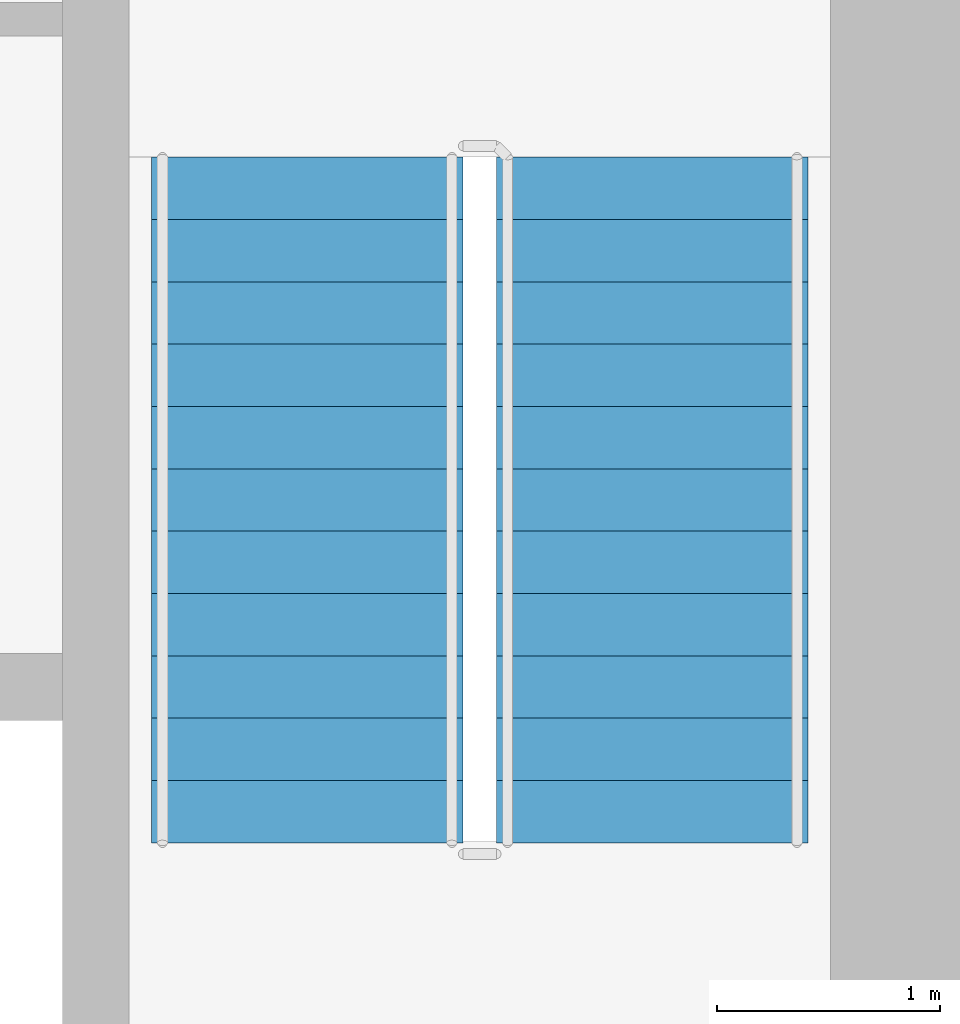
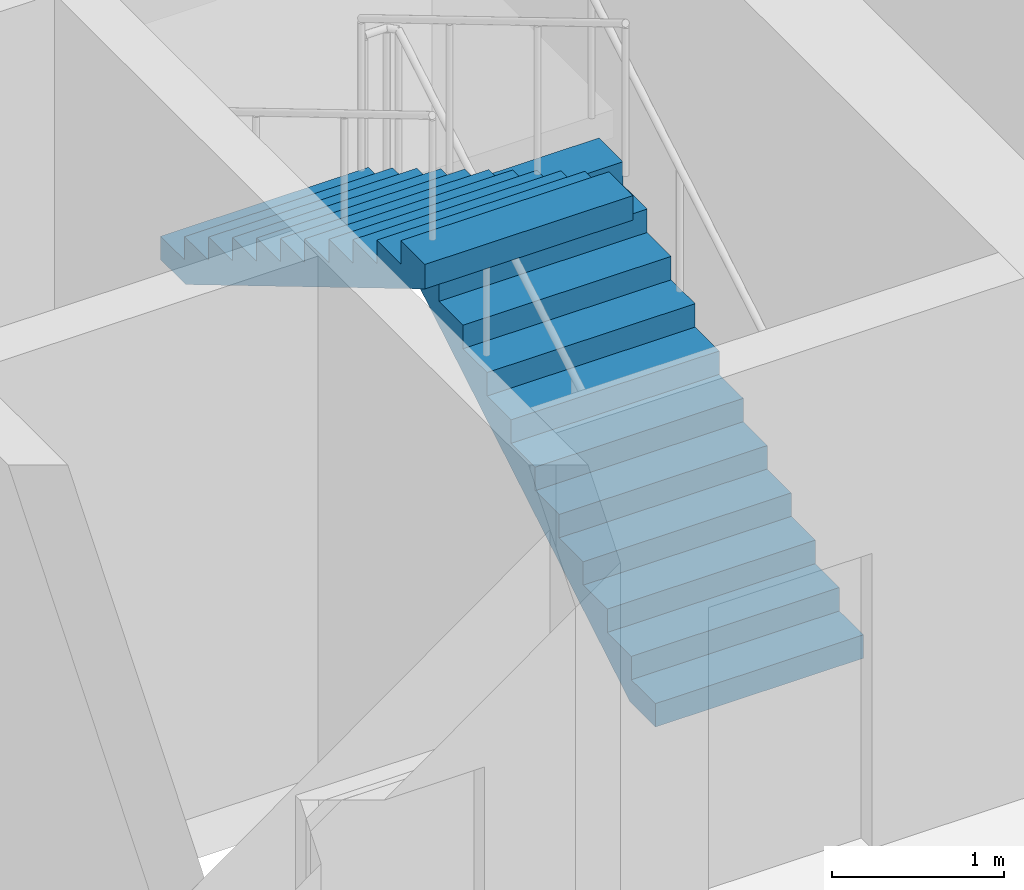
# One storey, part 10 of 16: 2 stair flights, 1 element without a shape of its own.
"""IFC4 building model written with IfcOpenShell, lengths in metres."""

from ifc_helpers import new_model, si_unit, direction, frame, origin, place, context, subcontext, project, spatial, polyline, outline, extrude, material, type_object, element, aggregate, save


model = new_model("IFC4")

# Units and contexts
model_context = context("Model", 3, precision=1e-05, world=origin(), true_north=direction((0.0, 1.0)))
body_context = subcontext(model_context, "Body", "Model", "MODEL_VIEW")
ifc_project = project(units=[si_unit("LENGTHUNIT", "METRE"), si_unit("AREAUNIT", "SQUARE_METRE"), si_unit("VOLUMEUNIT", "CUBIC_METRE"), si_unit("PLANEANGLEUNIT", "RADIAN"), si_unit("MASSUNIT", "GRAM", prefix="KILO")], contexts=[model_context])

# Site, building, storey
site_placement = place(None, origin())
site = spatial("IfcSite", under=ifc_project, at=site_placement, CompositionType="ELEMENT")
building_placement = place(site_placement, origin())
building = spatial("IfcBuilding", under=site, at=building_placement, Name="Mopane Tessera Tower", CompositionType="ELEMENT")
storey_placement = place(building_placement, frame((0.0, 0.0, 321.39990234375)))
storey = spatial("IfcBuildingStorey", under=building, at=storey_placement, Name="L70", CompositionType="ELEMENT", Elevation=321.39990234375)

# Stair, stair flights
ifc_material_1 = material(Name="Concrete C50/60", Category="concrete")
stair_type = type_object("IfcStairType", Name="Escape stair 1400 mm, riser 167 mm", PredefinedType="HALF_TURN_STAIR", material=ifc_material_1)
stair_placement = place(storey_placement, origin())
stair = element("IfcStair", 1, at=stair_placement, inside=storey, type_object=stair_type, Name="L70 Escape stair north-east", PredefinedType="HALF_TURN_STAIR")
ifc_material_2 = material(Name="Concrete C50/60", Category="concrete")
stair_flight_type = type_object("IfcStairFlightType", Name="Escape stair flight 1400 mm", PredefinedType="STRAIGHT", material=ifc_material_2)
stair_flight_1_placement = place(storey_placement, frame((13.0, 7.699951171875, 0.0), z_axis=(0.0, 0.0, 1.0), x_axis=(0.0, 1.0, 0.0)))
stair_flight_1 = element("IfcStairFlight", 2, at=stair_flight_1_placement, type_object=stair_flight_type, Name="ST4 flight 1", NumberOfRisers=12, NumberOfTreads=11, PredefinedType="STRAIGHT", RiserHeight=0.166666667, TreadLength=0.28, context=body_context, shape_type="SweptSolid", body=[
    extrude(outline(polyline([(0.0, 0.0), (0.0, 0.166748046875), (0.280029296875, 0.166748046875), (0.280029296875, 0.333251953125), (0.56005859375, 0.333251953125), (0.56005859375, 0.5), (0.840087890625, 0.5), (0.840087890625, 0.666748046875), (1.1201171875, 0.666748046875), (1.1201171875, 0.833251953125), (1.39990234375, 0.833251953125), (1.39990234375, 1.0), (1.679931640625, 1.0), (1.679931640625, 1.166748046875), (1.9599609375, 1.166748046875), (1.9599609375, 1.333251953125), (2.239990234375, 1.333251953125), (2.239990234375, 1.5), (2.52001953125, 1.5), (2.52001953125, 1.666748046875), (2.800048828125, 1.666748046875), (2.800048828125, 1.833251953125), (3.080078125, 1.833251953125), (3.080078125, 2.0), (3.080078125, 1.658935546875), (0.29296875, 0.0), (0.0, 0.0)])), frame((0.0, 0.699951171875, 0.0), z_axis=(0.0, -1.0, 0.0), x_axis=(1.0, 0.0, 0.0)), (0.0, 0.0, 1.0), 1.39990234375),
])
stair_flight_2_placement = place(storey_placement, frame((11.449951171875, 10.780029296875, 2.0), z_axis=(0.0, 0.0, 1.0), x_axis=(0.0, -1.0, 0.0)))
stair_flight_2 = element("IfcStairFlight", 3, at=stair_flight_2_placement, type_object=stair_flight_type, Name="ST4 flight 2", NumberOfRisers=12, NumberOfTreads=11, PredefinedType="STRAIGHT", RiserHeight=0.166666667, TreadLength=0.28, context=body_context, shape_type="SweptSolid", body=[
    extrude(outline(polyline([(0.0, 0.0), (0.0, 0.166748046875), (0.280029296875, 0.166748046875), (0.280029296875, 0.333251953125), (0.56005859375, 0.333251953125), (0.56005859375, 0.5), (0.840087890625, 0.5), (0.840087890625, 0.666748046875), (1.1201171875, 0.666748046875), (1.1201171875, 0.833251953125), (1.39990234375, 0.833251953125), (1.39990234375, 1.0), (1.679931640625, 1.0), (1.679931640625, 1.166748046875), (1.9599609375, 1.166748046875), (1.9599609375, 1.333251953125), (2.239990234375, 1.333251953125), (2.239990234375, 1.5), (2.52001953125, 1.5), (2.52001953125, 1.666748046875), (2.800048828125, 1.666748046875), (2.800048828125, 1.833251953125), (3.080078125, 1.833251953125), (3.080078125, 2.0), (3.080078125, 1.658935546875), (0.29296875, 0.0), (0.0, 0.0)])), frame((0.0, 0.699951171875, 0.0), z_axis=(0.0, -1.0, 0.0), x_axis=(1.0, 0.0, 0.0)), (0.0, 0.0, 1.0), 1.39990234375),
])
aggregate(stair, [stair_flight_1, stair_flight_2])

save(model, "model.ifc")
